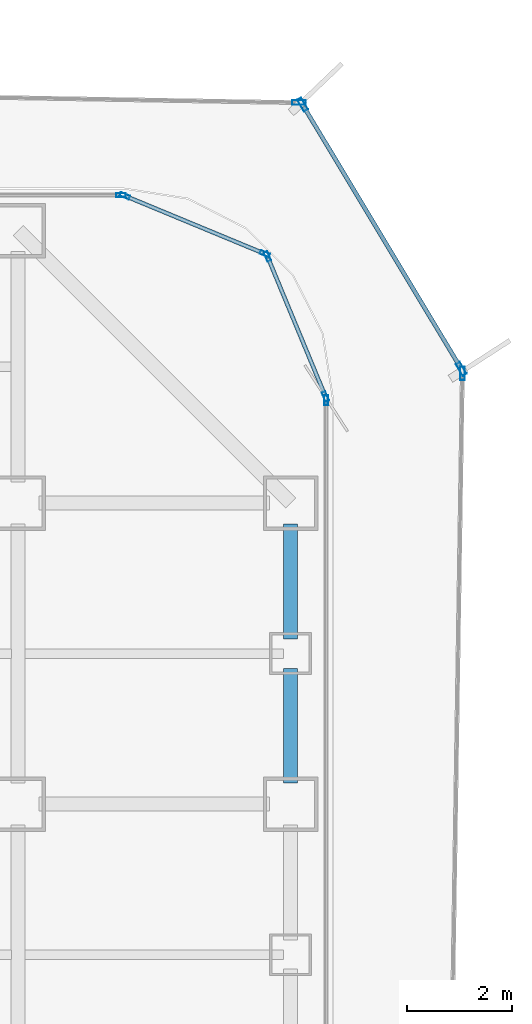
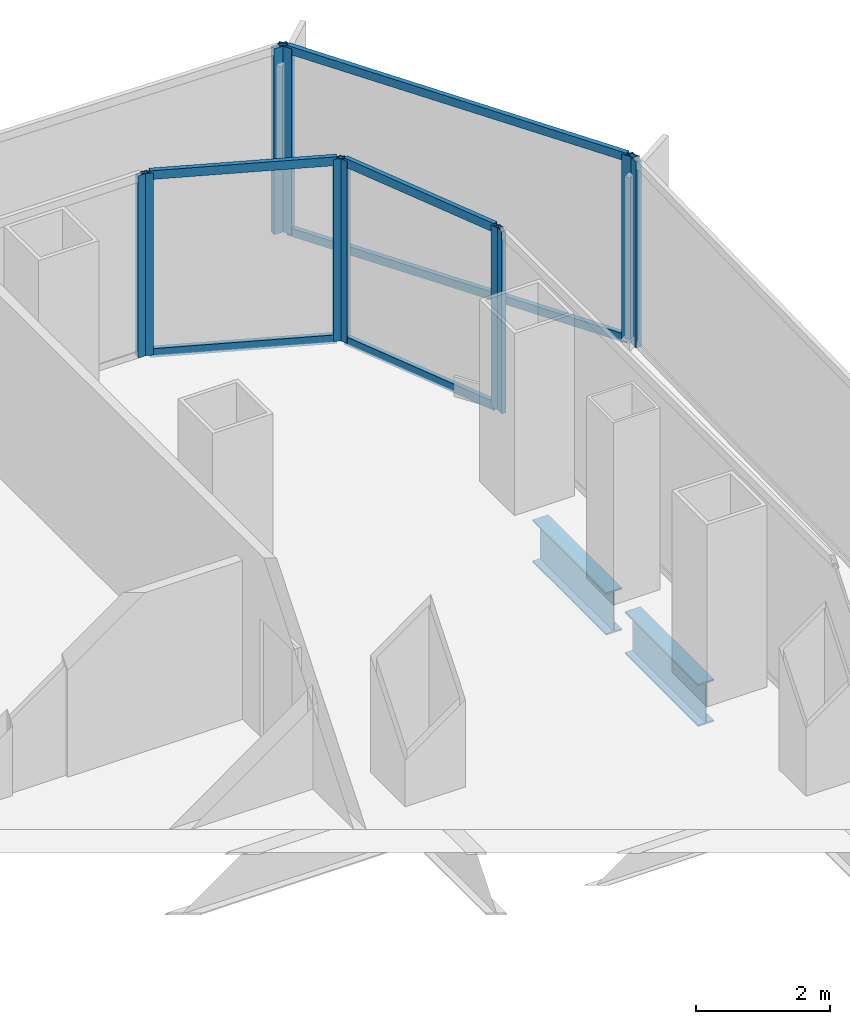
# One storey, part 15 of 21: 16 members, 2 beams, 7 elements without a shape of their own.
"""IFC4 building model written with IfcOpenShell, lengths in metres."""

import ifcopenshell
import ifcopenshell.guid

model = None  # the IFC model being written
_history = None  # IfcOwnerHistory: only IFC2X3 demands one
_inside = {}  # id of a spatial element -> (the spatial element, [elements in it])
_under = {}  # id of a project, library or spatial element -> (it, [spatial elements below it])
_declared = {}  # id of a project -> (the project, [libraries it declares])
_typed = {}  # id of a type object -> (the type object, [elements of that type])
_made_of = {}  # id of a material, layer set ... -> (it, [elements and type objects made of it])


def new_model(schema):
    """Start an empty IFC model of exactly this schema.

    Asked for "IFC4X3", IfcOpenShell would pick the latest addendum, in which some entities
    have other attributes; the version numbers below select the first issue.
    IFC2X3 requires an IfcOwnerHistory on every rooted entity: one is made here for all.
    """
    global model, _history
    if schema == "IFC4X3":
        model = ifcopenshell.file(schema_version=(4, 3, 0, 0))
    else:
        model = ifcopenshell.file(schema=schema)
    _inside.clear()
    _under.clear()
    _declared.clear()
    _typed.clear()
    _made_of.clear()
    _history = None
    if model.schema == "IFC2X3":
        org = make("IfcOrganization", Name="unknown")
        user = make(
            "IfcPersonAndOrganization",
            ThePerson=make("IfcPerson", FamilyName="unknown"),
            TheOrganization=org,
        )
        app = make(
            "IfcApplication",
            ApplicationDeveloper=org,
            Version="unknown",
            ApplicationFullName="unknown",
            ApplicationIdentifier="unknown",
        )
        _history = make(
            "IfcOwnerHistory",
            OwningUser=user,
            OwningApplication=app,
            ChangeAction="ADDED",
            CreationDate=0,
        )
    return model


def make(cls, **values):
    """One entity of the class cls with the attributes given. An attribute that is None is left unset."""
    return model.create_entity(
        cls, **{name: value for name, value in values.items() if value is not None}
    )


def rooted(cls, **values):
    """An entity with a GlobalId (a new one), such as an element, a storey or a relation."""
    return make(cls, GlobalId=ifcopenshell.guid.new(), OwnerHistory=_history, **values)


def si_unit(unit_type, name, prefix=None):
    """IfcSIUnit, for example si_unit("LENGTHUNIT", "METRE", prefix="MILLI")."""
    return make("IfcSIUnit", UnitType=unit_type, Prefix=prefix, Name=name)


def assignment(units):
    """IfcUnitAssignment: the units of a project."""
    return None if units is None else make("IfcUnitAssignment", Units=units)


def point(xyz):
    """IfcCartesianPoint."""
    return None if xyz is None else make("IfcCartesianPoint", Coordinates=xyz)


def direction(xyz):
    """IfcDirection."""
    return None if xyz is None else make("IfcDirection", DirectionRatios=xyz)


def frame(location, z_axis=None, x_axis=None):
    """IfcAxis2Placement3D, a coordinate frame: its origin and axes. An axis left out is left unset."""
    return make(
        "IfcAxis2Placement3D",
        Location=point(location),
        Axis=direction(z_axis),
        RefDirection=direction(x_axis),
    )


def frame_2d(location, x_axis=None):
    """IfcAxis2Placement2D, a coordinate frame in the plane: its origin and x axis."""
    return make(
        "IfcAxis2Placement2D", Location=point(location), RefDirection=direction(x_axis)
    )


def origin():
    """The frame at (0, 0, 0) with its axes left unset."""
    return frame((0.0, 0.0, 0.0))


def origin_2d():
    """The frame at (0, 0) in the plane with its x axis left unset."""
    return frame_2d((0.0, 0.0))


def place(relative_to, where):
    """IfcLocalPlacement: puts the frame where relative to a parent placement (None: the world)."""
    return make(
        "IfcLocalPlacement", PlacementRelTo=relative_to, RelativePlacement=where
    )


def context(
    kind, dimensions, precision=None, world=None, true_north=None, identifier=None
):
    """IfcGeometricRepresentationContext, for example the 3D "Model" context."""
    return make(
        "IfcGeometricRepresentationContext",
        ContextIdentifier=identifier,
        ContextType=kind,
        CoordinateSpaceDimension=dimensions,
        Precision=precision,
        WorldCoordinateSystem=world,
        TrueNorth=true_north,
    )


def subcontext(parent, identifier, kind, view, scale=None):
    """IfcGeometricRepresentationSubContext, for example "Body" below "Model"."""
    return make(
        "IfcGeometricRepresentationSubContext",
        ContextIdentifier=identifier,
        ContextType=kind,
        ParentContext=parent,
        TargetScale=scale,
        TargetView=view,
    )


def project(units=None, contexts=None):
    """IfcProject with its units and contexts."""
    return rooted(
        "IfcProject",
        Name="project",
        RepresentationContexts=contexts,
        UnitsInContext=assignment(units),
    )


def spatial(cls, under=None, at=None, **own):
    """A site, building, storey or space (cls), placed at a placement, below another one or the project."""
    s = rooted(cls, ObjectPlacement=at, **own)
    if under is not None:
        _under.setdefault(under.id(), (under, []))[1].append(s)
    return s


def profile(cls, at=None, kind="AREA", **sizes):
    """A parametric profile (cls). Its sizes go by their IFC names, for example OverallWidth=200.0."""
    return make(cls, ProfileType=kind, Position=at, **sizes)


def hollow_rectangle(**sizes):
    """IfcRectangleHollowProfileDef."""
    return profile("IfcRectangleHollowProfileDef", **sizes)


def i_section(**sizes):
    """IfcIShapeProfileDef."""
    return profile("IfcIShapeProfileDef", **sizes)


def extrude(swept, where, along, depth):
    """IfcExtrudedAreaSolid: the profile swept, set in the frame where, extruded along a direction by depth."""
    return make(
        "IfcExtrudedAreaSolid",
        SweptArea=swept,
        Position=where,
        ExtrudedDirection=direction(along),
        Depth=depth,
    )


def shape(context_of_items, identifier, shape_type, items):
    """IfcShapeRepresentation: the items that make up one representation, for example the "Body"."""
    return make(
        "IfcShapeRepresentation",
        ContextOfItems=context_of_items,
        RepresentationIdentifier=identifier,
        RepresentationType=shape_type,
        Items=items,
    )


def source(mapping_origin, context_of_items, identifier, shape_type, items):
    """IfcRepresentationMap: a shape defined once, which mapped items show again and again."""
    return make(
        "IfcRepresentationMap",
        MappingOrigin=mapping_origin,
        MappedRepresentation=shape(context_of_items, identifier, shape_type, items),
    )


def transform(
    local_origin,
    x_axis=None,
    y_axis=None,
    z_axis=None,
    scale=None,
    scale2=None,
    scale3=None,
    uniform=True,
):
    """IfcCartesianTransformationOperator3D, or its non-uniform kind. x_axis, y_axis, z_axis: its Axis1, 2, 3."""
    if uniform:
        return make(
            "IfcCartesianTransformationOperator3D",
            Axis1=direction(x_axis),
            Axis2=direction(y_axis),
            LocalOrigin=point(local_origin),
            Scale=scale,
            Axis3=direction(z_axis),
        )
    return make(
        "IfcCartesianTransformationOperator3DnonUniform",
        Axis1=direction(x_axis),
        Axis2=direction(y_axis),
        LocalOrigin=point(local_origin),
        Scale=scale,
        Axis3=direction(z_axis),
        Scale2=scale2,
        Scale3=scale3,
    )


def mapped(mapping_source, mapping_target):
    """IfcMappedItem: shows the shape of a source again, moved by a transform."""
    return make(
        "IfcMappedItem", MappingSource=mapping_source, MappingTarget=mapping_target
    )


def material(Name=None, Category=None):
    """IfcMaterial."""
    return make("IfcMaterial", Name=Name, Category=Category)


def layer(
    of_material, thickness, ventilated=None, Name=None, Category=None, Priority=None
):
    """IfcMaterialLayer: one layer of a wall or slab, of a material (None: an air gap)."""
    return make(
        "IfcMaterialLayer",
        Material=of_material,
        LayerThickness=thickness,
        IsVentilated=ventilated,
        Name=Name,
        Category=Category,
        Priority=Priority,
    )


def layer_set(layers, Name=None):
    """IfcMaterialLayerSet."""
    return make("IfcMaterialLayerSet", MaterialLayers=layers, LayerSetName=Name)


def material_profile(
    of_material, cross_section, Name=None, Category=None, Priority=None
):
    """IfcMaterialProfile: a cross section and its material."""
    return make(
        "IfcMaterialProfile",
        Name=Name,
        Material=of_material,
        Profile=cross_section,
        Priority=Priority,
        Category=Category,
    )


def profile_set(profiles, Name=None, composite=None):
    """IfcMaterialProfileSet."""
    return make(
        "IfcMaterialProfileSet",
        Name=Name,
        MaterialProfiles=profiles,
        CompositeProfile=composite,
    )


def made_of(thing, what):
    """Note that an element or type object is made of a material, layer set ...; save() writes the relation."""
    if what is not None:
        _made_of.setdefault(what.id(), (what, []))[1].append(thing)
    return thing


def type_object(cls, material=None, **own):
    """A type object (cls), such as IfcWallType, which elements share."""
    return made_of(rooted(cls, **own), material)


def element(
    cls,
    number,
    at=None,
    inside=None,
    cuts=None,
    type_object=None,
    material=None,
    context=None,
    identifier="Body",
    shape_type=None,
    held_by="IfcProductDefinitionShape",
    body=None,
    shapes=None,
    **own,
):
    """One element of the class cls, such as IfcWall. Its Tag is "e" and its number.

    at: its placement. inside: the storey or other place that contains it. cuts: it is an
    opening in that element (IfcRelVoidsElement). A single representation is given by context,
    identifier, shape_type and body (its items); several are given by shapes. held_by: the class
    of the entity that holds the representations. save() writes the other relations.
    """
    e = rooted(cls, Tag="e%d" % number, ObjectPlacement=at, **own)
    if body is not None:
        shapes = [shape(context, identifier, shape_type, body)]
    if shapes is not None:
        e.Representation = make(held_by, Representations=shapes)
    if inside is not None:
        _inside.setdefault(inside.id(), (inside, []))[1].append(e)
    if cuts is not None:
        rooted(
            "IfcRelVoidsElement", RelatingBuildingElement=cuts, RelatedOpeningElement=e
        )
    if type_object is not None:
        _typed.setdefault(type_object.id(), (type_object, []))[1].append(e)
    return made_of(e, material)


def aggregate(whole, parts):
    """IfcRelAggregates: a whole, such as a stair, and the parts it consists of."""
    return rooted("IfcRelAggregates", RelatingObject=whole, RelatedObjects=parts)


def save(model, path):
    """Write the relations noted so far, then the file.

    IfcRelAggregates (storeys below a building ...), IfcRelContainedInSpatialStructure (elements
    in a storey), IfcRelDefinesByType, IfcRelAssociatesMaterial and IfcRelDeclares: one each for
    every whole, place, type object, material and project.
    """
    for whole, parts in _under.values():
        aggregate(whole, parts)
    for where, things in _inside.values():
        rooted(
            "IfcRelContainedInSpatialStructure",
            RelatedElements=things,
            RelatingStructure=where,
        )
    for kind, things in _typed.values():
        rooted("IfcRelDefinesByType", RelatedObjects=things, RelatingType=kind)
    for what, things in _made_of.values():
        rooted("IfcRelAssociatesMaterial", RelatedObjects=things, RelatingMaterial=what)
    for by, libraries in _declared.values():
        rooted("IfcRelDeclares", RelatingContext=by, RelatedDefinitions=libraries)
    model.write(path)


model = new_model("IFC4")

# Units and contexts
model_context = context("Model", 3, precision=1e-05, world=origin(), true_north=direction((0.0, 1.0)))
body_context = subcontext(model_context, "Body", "Model", "MODEL_VIEW")
ifc_project = project(units=[si_unit("LENGTHUNIT", "METRE"), si_unit("AREAUNIT", "SQUARE_METRE"), si_unit("VOLUMEUNIT", "CUBIC_METRE"), si_unit("PLANEANGLEUNIT", "RADIAN"), si_unit("MASSUNIT", "GRAM", prefix="KILO")], contexts=[model_context])

# Site, building, storey
site_placement = place(None, origin())
site = spatial("IfcSite", under=ifc_project, at=site_placement, CompositionType="ELEMENT")
building_placement = place(site_placement, origin())
building = spatial("IfcBuilding", under=site, at=building_placement, Name="Kolveth Station Tower", CompositionType="ELEMENT")
storey_placement = place(building_placement, frame((0.0, 0.0, 36.89990234375)))
storey = spatial("IfcBuildingStorey", under=building, at=storey_placement, Name="L09", CompositionType="ELEMENT", Elevation=36.89990234375)

# Beams
ifc_material_1 = material(Name="Steel S355", Category="steel")
ifc_material_profile_1 = material_profile(ifc_material_1, i_section(OverallWidth=0.26904296875, OverallDepth=0.77490234375, WebThickness=0.01708984375, FlangeThickness=0.0283203125, at=origin_2d()), Name="W760x220")
ifc_profile_set_1 = profile_set([ifc_material_profile_1], Name="Steel S355")
beam_type = type_object("IfcBeamType", Name="Beam_SP1", PredefinedType="SPANDREL", material=ifc_profile_set_1)
shared_shape_1 = source(origin(), body_context, "Body", "SweptSolid", [
    extrude(i_section(OverallWidth=0.26904296875, OverallDepth=0.77490234375, WebThickness=0.01708984375, FlangeThickness=0.0283203125, at=origin_2d()), origin(), (0.0, 0.0, 1.0), 2.2001953125),
])
beam_1_placement = place(storey_placement, frame((46.199951171875, 31.89990234375, -0.66748046875), z_axis=(0.0, 1.0, 0.0), x_axis=(-1.0, 0.0, 0.0)))
element("IfcBeam", 1, at=beam_1_placement, inside=storey, type_object=beam_type, Name="L09 Perimeter Spandrel BM-L09-PE-10", PredefinedType="SPANDREL", context=body_context, shape_type="MappedRepresentation", body=[
    mapped(shared_shape_1, transform((0.0, 0.0, 0.0), x_axis=(1.0, 0.0, 0.0), y_axis=(0.0, 1.0, 0.0), z_axis=(0.0, 0.0, 1.0), scale=1.0)),
])
shared_shape_2 = source(origin(), body_context, "Body", "SweptSolid", [
    extrude(i_section(OverallWidth=0.26904296875, OverallDepth=0.77490234375, WebThickness=0.01708984375, FlangeThickness=0.0283203125, at=origin_2d()), origin(), (0.0, 0.0, 1.0), 2.190185546875),
])
beam_2_placement = place(storey_placement, frame((46.199951171875, 29.14990234375, -0.66748046875), z_axis=(0.0, 1.0, 0.0), x_axis=(-1.0, 0.0, 0.0)))
element("IfcBeam", 2, at=beam_2_placement, inside=storey, type_object=beam_type, Name="L09 Perimeter Spandrel BM-L09-PE-9", PredefinedType="SPANDREL", context=body_context, shape_type="MappedRepresentation", body=[
    mapped(shared_shape_2, transform((0.0, 0.0, 0.0), x_axis=(1.0, 0.0, 0.0), y_axis=(0.0, 1.0, 0.0), z_axis=(0.0, 0.0, 1.0), scale=1.0)),
])

# Curtain wall, member
ifc_material_2 = material(Name="Aluminium 6063-T6 and low-E dark glass", Category="aluminium")
ifc_layer_1 = layer(ifc_material_2, 0.179931640625)
ifc_layer_set_1 = layer_set([ifc_layer_1], Name="Aluminium 6063-T6 and low-E dark glass")
curtain_wall_type_1 = type_object("IfcCurtainWallType", Name="CurtainWall_CW-Z1", PredefinedType="NOTDEFINED", material=ifc_layer_set_1)
curtain_wall_1_placement = place(storey_placement, origin())
curtain_wall_1 = element("IfcCurtainWall", 3, at=curtain_wall_1_placement, inside=storey, type_object=curtain_wall_type_1, Name="L09 Inner Thermal Curtain Wall 3", PredefinedType="NOTDEFINED")
ifc_material_3 = material(Name="Black anodized aluminium 6063-T6", Category="aluminium")
ifc_material_profile_2 = material_profile(ifc_material_3, hollow_rectangle(XDim=0.074951171875, YDim=0.18994140625, WallThickness=0.0048828125, at=origin_2d()), Name="ALU-75x190x5")
ifc_profile_set_2 = profile_set([ifc_material_profile_2], Name="Black anodized aluminium 6063-T6")
member_type_1 = type_object("IfcMemberType", Name="Mullion_ML1", PredefinedType="MULLION", material=ifc_profile_set_2)
shared_shape_3 = source(origin(), body_context, "Body", "SweptSolid", [
    extrude(hollow_rectangle(XDim=0.074951171875, YDim=0.18994140625, WallThickness=0.0048828125, at=origin_2d()), origin(), (0.0, 0.0, 1.0), 3.320068359375),
])
member_1_placement = place(storey_placement, frame((46.8798828125, 36.46240234375, 0.0), z_axis=(0.0, 0.0, 1.0), x_axis=(-1.0, 0.0, 0.0)))
member_1 = element("IfcMember", 4, at=member_1_placement, type_object=member_type_1, Name="CW-Z1 mullion 2", PredefinedType="MULLION", context=body_context, shape_type="MappedRepresentation", body=[
    mapped(shared_shape_3, transform((0.0, 0.0, 0.0), x_axis=(1.0, 0.0, 0.0), y_axis=(0.0, 1.0, 0.0), z_axis=(0.0, 0.0, 1.0), scale=1.0)),
])
aggregate(curtain_wall_1, [member_1])

# Curtain wall, members
curtain_wall_2_placement = place(storey_placement, origin())
curtain_wall_2 = element("IfcCurtainWall", 5, at=curtain_wall_2_placement, inside=storey, type_object=curtain_wall_type_1, Name="L09 Inner Thermal Curtain Wall 4", PredefinedType="NOTDEFINED")
member_2_placement = place(storey_placement, frame((46.86572265625, 36.53466796875, 0.0), z_axis=(0.0, 0.0, 1.0), x_axis=(-0.923883857728, -0.382672990201, 0.0)))
member_2 = element("IfcMember", 6, at=member_2_placement, type_object=member_type_1, Name="CW-Z1 mullion 1", PredefinedType="MULLION", context=body_context, shape_type="MappedRepresentation", body=[
    mapped(shared_shape_3, transform((0.0, 0.0, 0.0), x_axis=(1.0, 0.0, 0.0), y_axis=(0.0, 1.0, 0.0), z_axis=(0.0, 0.0, 1.0), scale=1.0)),
])
member_3_placement = place(storey_placement, frame((45.758056640625, 39.208984375, 0.0), z_axis=(0.0, 0.0, 1.0), x_axis=(-0.923883857728, -0.382672990201, 0.0)))
member_3 = element("IfcMember", 7, at=member_3_placement, type_object=member_type_1, Name="CW-Z1 mullion 2", PredefinedType="MULLION", context=body_context, shape_type="MappedRepresentation", body=[
    mapped(shared_shape_3, transform((0.0, 0.0, 0.0), x_axis=(1.0, 0.0, 0.0), y_axis=(0.0, 1.0, 0.0), z_axis=(0.0, 0.0, 1.0), scale=1.0)),
])

curtain_wall_3_placement = place(storey_placement, origin())
curtain_wall_3 = element("IfcCurtainWall", 8, at=curtain_wall_3_placement, inside=storey, type_object=curtain_wall_type_1, Name="L09 Inner Thermal Curtain Wall 5", PredefinedType="NOTDEFINED")
member_4_placement = place(storey_placement, frame((45.708984375, 39.258056640625, 0.0), z_axis=(0.0, 0.0, 1.0), x_axis=(-0.382672990201, -0.923883857728, 0.0)))
member_4 = element("IfcMember", 9, at=member_4_placement, type_object=member_type_1, Name="CW-Z1 mullion 1", PredefinedType="MULLION", context=body_context, shape_type="MappedRepresentation", body=[
    mapped(shared_shape_3, transform((0.0, 0.0, 0.0), x_axis=(1.0, 0.0, 0.0), y_axis=(0.0, 1.0, 0.0), z_axis=(0.0, 0.0, 1.0), scale=1.0)),
])
member_5_placement = place(storey_placement, frame((43.03466796875, 40.36572265625, 0.0), z_axis=(0.0, 0.0, 1.0), x_axis=(-0.382672990201, -0.923883857728, 0.0)))
member_5 = element("IfcMember", 10, at=member_5_placement, type_object=member_type_1, Name="CW-Z1 mullion 2", PredefinedType="MULLION", context=body_context, shape_type="MappedRepresentation", body=[
    mapped(shared_shape_3, transform((0.0, 0.0, 0.0), x_axis=(1.0, 0.0, 0.0), y_axis=(0.0, 1.0, 0.0), z_axis=(0.0, 0.0, 1.0), scale=1.0)),
])

# Curtain wall, member
curtain_wall_4_placement = place(storey_placement, origin())
curtain_wall_4 = element("IfcCurtainWall", 11, at=curtain_wall_4_placement, inside=storey, type_object=curtain_wall_type_1, Name="L09 Inner Thermal Curtain Wall 6", PredefinedType="NOTDEFINED")
member_6_placement = place(storey_placement, frame((42.96240234375, 40.3798828125, 0.0), z_axis=(0.0, 0.0, 1.0), x_axis=(0.0, -1.0, 0.0)))
member_6 = element("IfcMember", 12, at=member_6_placement, type_object=member_type_1, Name="CW-Z1 mullion 1", PredefinedType="MULLION", context=body_context, shape_type="MappedRepresentation", body=[
    mapped(shared_shape_3, transform((0.0, 0.0, 0.0), x_axis=(1.0, 0.0, 0.0), y_axis=(0.0, 1.0, 0.0), z_axis=(0.0, 0.0, 1.0), scale=1.0)),
])
aggregate(curtain_wall_4, [member_6])

# Member
ifc_material_profile_3 = material_profile(ifc_material_3, hollow_rectangle(XDim=0.074951171875, YDim=0.159912109375, WallThickness=0.0048828125, at=origin_2d()), Name="ALU-75x160x5")
ifc_profile_set_3 = profile_set([ifc_material_profile_3], Name="Black anodized aluminium 6063-T6")
member_type_2 = type_object("IfcMemberType", Name="Transom_TR1", PredefinedType="USERDEFINED", material=ifc_profile_set_3)
shared_shape_4 = source(origin(), body_context, "Body", "SweptSolid", [
    extrude(hollow_rectangle(XDim=0.074951171875, YDim=0.159912109375, WallThickness=0.0048828125, at=origin_2d()), origin(), (0.0, 0.0, 1.0), 2.819580078125),
])
member_7_placement = place(storey_placement, frame((46.851318359375, 36.5693359375, 0.03759765625), z_axis=(-0.382708655389, 0.923869084389, 0.0), x_axis=(-0.923869084389, -0.382708655389, 0.0)))
member_7 = element("IfcMember", 13, at=member_7_placement, type_object=member_type_2, Name="CW-Z1 transom 1.1", ObjectType="TRANSOM", PredefinedType="USERDEFINED", context=body_context, shape_type="MappedRepresentation", body=[
    mapped(shared_shape_4, transform((0.0, 0.0, 0.0), x_axis=(1.0, 0.0, 0.0), y_axis=(0.0, 1.0, 0.0), z_axis=(0.0, 0.0, 1.0), scale=1.0)),
])

member_8_placement = place(storey_placement, frame((46.851318359375, 36.5693359375, 3.28271484375), z_axis=(-0.382708655389, 0.923869084389, 0.0), x_axis=(-0.923869084389, -0.382708655389, 0.0)))
member_8 = element("IfcMember", 14, at=member_8_placement, type_object=member_type_2, Name="CW-Z1 transom 1.2", ObjectType="TRANSOM", PredefinedType="USERDEFINED", context=body_context, shape_type="MappedRepresentation", body=[
    mapped(shared_shape_4, transform((0.0, 0.0, 0.0), x_axis=(1.0, 0.0, 0.0), y_axis=(0.0, 1.0, 0.0), z_axis=(0.0, 0.0, 1.0), scale=1.0)),
])

aggregate(curtain_wall_2, [member_2, member_3, member_7, member_8])

member_9_placement = place(storey_placement, frame((45.67431640625, 39.272216796875, 0.03759765625), z_axis=(-0.923869084389, 0.382708655389, 0.0), x_axis=(-0.382708655389, -0.923869084389, 0.0)))
member_9 = element("IfcMember", 15, at=member_9_placement, type_object=member_type_2, Name="CW-Z1 transom 1.1", ObjectType="TRANSOM", PredefinedType="USERDEFINED", context=body_context, shape_type="MappedRepresentation", body=[
    mapped(shared_shape_4, transform((0.0, 0.0, 0.0), x_axis=(1.0, 0.0, 0.0), y_axis=(0.0, 1.0, 0.0), z_axis=(0.0, 0.0, 1.0), scale=1.0)),
])

member_10_placement = place(storey_placement, frame((45.67431640625, 39.272216796875, 3.28271484375), z_axis=(-0.923869084389, 0.382708655389, 0.0), x_axis=(-0.382708655389, -0.923869084389, 0.0)))
member_10 = element("IfcMember", 16, at=member_10_placement, type_object=member_type_2, Name="CW-Z1 transom 1.2", ObjectType="TRANSOM", PredefinedType="USERDEFINED", context=body_context, shape_type="MappedRepresentation", body=[
    mapped(shared_shape_4, transform((0.0, 0.0, 0.0), x_axis=(1.0, 0.0, 0.0), y_axis=(0.0, 1.0, 0.0), z_axis=(0.0, 0.0, 1.0), scale=1.0)),
])

aggregate(curtain_wall_3, [member_4, member_5, member_9, member_10])

# Curtain wall, member
ifc_material_4 = material(Name="Black anodized aluminium 6063-T6 and dark solar glass", Category="aluminium")
ifc_layer_2 = layer(ifc_material_4, 0.159912109375)
ifc_layer_set_2 = layer_set([ifc_layer_2], Name="Black anodized aluminium 6063-T6 and dark solar glass")
curtain_wall_type_2 = type_object("IfcCurtainWallType", Name="OUTER SKIN CW-OS", PredefinedType="NOTDEFINED", material=ifc_layer_set_2)
curtain_wall_5_placement = place(storey_placement, origin())
curtain_wall_5 = element("IfcCurtainWall", 17, at=curtain_wall_5_placement, inside=storey, type_object=curtain_wall_type_2, Name="L09 Outer Ventilated Skin Curtain Wall 2", PredefinedType="NOTDEFINED")
ifc_material_profile_4 = material_profile(ifc_material_3, hollow_rectangle(XDim=0.090087890625, YDim=0.260009765625, WallThickness=0.0048828125, at=origin_2d()), Name="ALU-90x260x5")
ifc_profile_set_4 = profile_set([ifc_material_profile_4], Name="Black anodized aluminium 6063-T6")
member_type_3 = type_object("IfcMemberType", Name="FIN MULLION ML-OS", PredefinedType="MULLION", material=ifc_profile_set_4)
shared_shape_5 = source(origin(), body_context, "Body", "SweptSolid", [
    extrude(hollow_rectangle(XDim=0.090087890625, YDim=0.260009765625, WallThickness=0.0048828125, at=origin_2d()), origin(), (0.0, 0.0, 1.0), 3.39013671875),
])
member_11_placement = place(storey_placement, frame((49.48291015625, 36.976318359375, 0.0), z_axis=(0.0, 0.0, 1.0), x_axis=(-0.999881554002, 0.015390840363, 0.0)))
member_11 = element("IfcMember", 18, at=member_11_placement, type_object=member_type_3, Name="CW-OS mullion 2", PredefinedType="MULLION", context=body_context, shape_type="MappedRepresentation", body=[
    mapped(shared_shape_5, transform((0.0, 0.0, 0.0), x_axis=(1.0, 0.0, 0.0), y_axis=(0.0, 1.0, 0.0), z_axis=(0.0, 0.0, 1.0), scale=1.0)),
])
aggregate(curtain_wall_5, [member_11])

# Curtain wall, members
curtain_wall_6_placement = place(storey_placement, origin())
curtain_wall_6 = element("IfcCurtainWall", 19, at=curtain_wall_6_placement, inside=storey, type_object=curtain_wall_type_2, Name="L09 Outer Ventilated Skin Curtain Wall 3", PredefinedType="NOTDEFINED")
member_12_placement = place(storey_placement, frame((49.46044921875, 37.059814453125, 0.0), z_axis=(0.0, 0.0, 1.0), x_axis=(-0.857296573697, -0.514822867332, 0.0)))
member_12 = element("IfcMember", 20, at=member_12_placement, type_object=member_type_3, Name="CW-OS mullion 1", PredefinedType="MULLION", context=body_context, shape_type="MappedRepresentation", body=[
    mapped(shared_shape_5, transform((0.0, 0.0, 0.0), x_axis=(1.0, 0.0, 0.0), y_axis=(0.0, 1.0, 0.0), z_axis=(0.0, 0.0, 1.0), scale=1.0)),
])
member_13_placement = place(storey_placement, frame((46.428955078125, 42.10791015625, 0.0), z_axis=(0.0, 0.0, 1.0), x_axis=(-0.857296573697, -0.514822867332, 0.0)))
member_13 = element("IfcMember", 21, at=member_13_placement, type_object=member_type_3, Name="CW-OS mullion 2", PredefinedType="MULLION", context=body_context, shape_type="MappedRepresentation", body=[
    mapped(shared_shape_5, transform((0.0, 0.0, 0.0), x_axis=(1.0, 0.0, 0.0), y_axis=(0.0, 1.0, 0.0), z_axis=(0.0, 0.0, 1.0), scale=1.0)),
])

# Curtain wall, member
curtain_wall_7_placement = place(storey_placement, origin())
curtain_wall_7 = element("IfcCurtainWall", 22, at=curtain_wall_7_placement, inside=storey, type_object=curtain_wall_type_2, Name="L09 Outer Ventilated Skin Curtain Wall 4", PredefinedType="NOTDEFINED")
member_14_placement = place(storey_placement, frame((46.36083984375, 42.1474609375, 0.0), z_axis=(0.0, 0.0, 1.0), x_axis=(-0.017249564653, -0.999851215191, 0.0)))
member_14 = element("IfcMember", 23, at=member_14_placement, type_object=member_type_3, Name="CW-OS mullion 1", PredefinedType="MULLION", context=body_context, shape_type="MappedRepresentation", body=[
    mapped(shared_shape_5, transform((0.0, 0.0, 0.0), x_axis=(1.0, 0.0, 0.0), y_axis=(0.0, 1.0, 0.0), z_axis=(0.0, 0.0, 1.0), scale=1.0)),
])
aggregate(curtain_wall_7, [member_14])

# Member
ifc_material_profile_5 = material_profile(ifc_material_3, hollow_rectangle(XDim=0.080078125, YDim=0.14990234375, WallThickness=0.0048828125, at=origin_2d()), Name="ALU-80x150x5")
ifc_profile_set_5 = profile_set([ifc_material_profile_5], Name="Black anodized aluminium 6063-T6")
member_type_4 = type_object("IfcMemberType", Name="Transom_TR-OS", PredefinedType="USERDEFINED", material=ifc_profile_set_5)
shared_shape_6 = source(origin(), body_context, "Body", "SweptSolid", [
    extrude(hollow_rectangle(XDim=0.080078125, YDim=0.14990234375, WallThickness=0.0048828125, at=origin_2d()), origin(), (0.0, 0.0, 1.0), 5.79833984375),
])
member_15_placement = place(storey_placement, frame((49.437255859375, 37.098388671875, 0.0400390625), z_axis=(-0.514817698484, 0.857299677667, 0.0), x_axis=(-0.857299677667, -0.514817698484, 0.0)))
member_15 = element("IfcMember", 24, at=member_15_placement, type_object=member_type_4, Name="CW-OS transom 1.1", ObjectType="TRANSOM", PredefinedType="USERDEFINED", context=body_context, shape_type="MappedRepresentation", body=[
    mapped(shared_shape_6, transform((0.0, 0.0, 0.0), x_axis=(1.0, 0.0, 0.0), y_axis=(0.0, 1.0, 0.0), z_axis=(0.0, 0.0, 1.0), scale=1.0)),
])

member_16_placement = place(storey_placement, frame((49.437255859375, 37.098388671875, 3.35009765625), z_axis=(-0.514817698484, 0.857299677667, 0.0), x_axis=(-0.857299677667, -0.514817698484, 0.0)))
member_16 = element("IfcMember", 25, at=member_16_placement, type_object=member_type_4, Name="CW-OS transom 1.2", ObjectType="TRANSOM", PredefinedType="USERDEFINED", context=body_context, shape_type="MappedRepresentation", body=[
    mapped(shared_shape_6, transform((0.0, 0.0, 0.0), x_axis=(1.0, 0.0, 0.0), y_axis=(0.0, 1.0, 0.0), z_axis=(0.0, 0.0, 1.0), scale=1.0)),
])

aggregate(curtain_wall_6, [member_12, member_13, member_15, member_16])

save(model, "model.ifc")
